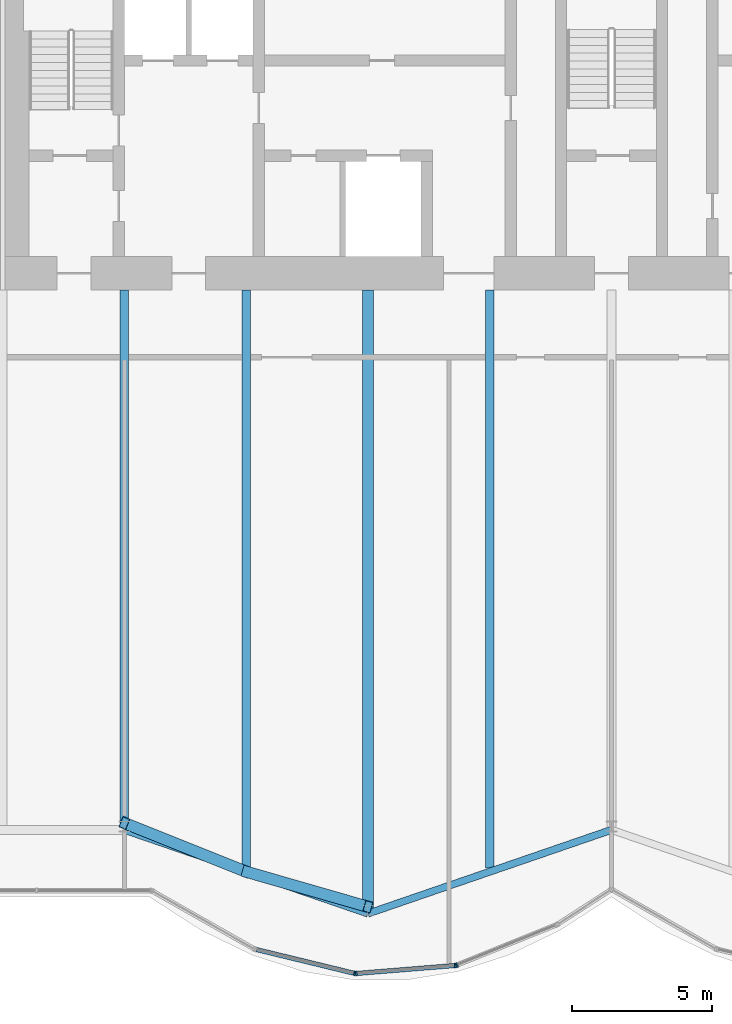
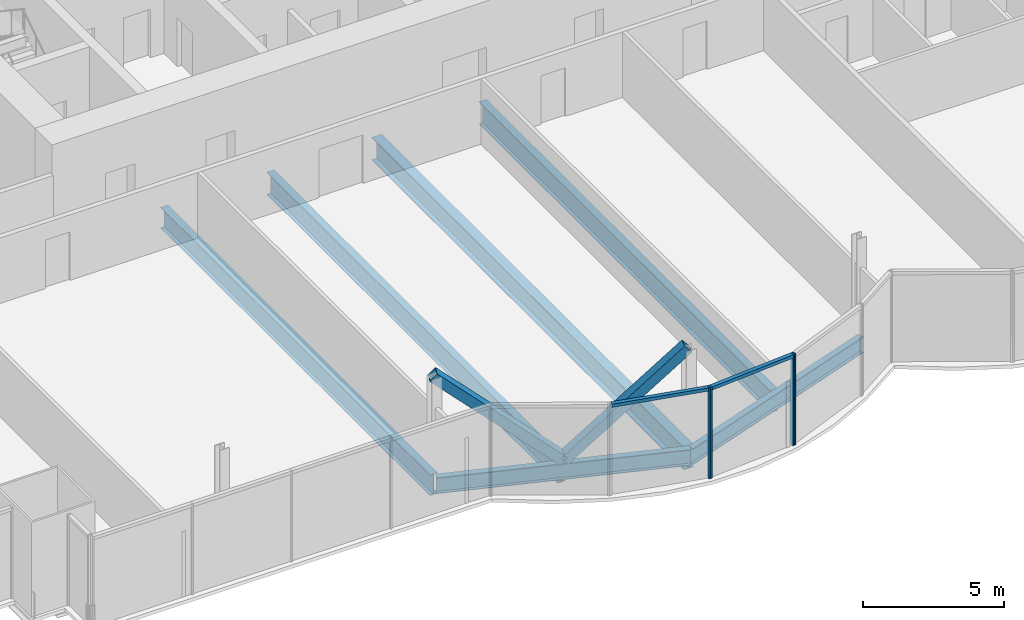
# One storey, part 6 of 21: 8 members, 6 beams, 1 element without a shape of its own.
"""IFC4 building model written with IfcOpenShell, lengths in metres."""

from ifc_helpers import new_model, si_unit, direction, frame, origin, origin_2d, place, context, subcontext, project, spatial, rectangle, hollow_rectangle, i_section, extrude, material, material_profile, profile_set, type_object, element, aggregate, save


model = new_model("IFC4")

# Units and contexts
model_context = context("Model", 3, precision=1e-05, world=origin(), true_north=direction((0.0, 1.0)))
body_context = subcontext(model_context, "Body", "Model", "MODEL_VIEW")
ifc_project = project(units=[si_unit("LENGTHUNIT", "METRE"), si_unit("AREAUNIT", "SQUARE_METRE"), si_unit("VOLUMEUNIT", "CUBIC_METRE"), si_unit("PLANEANGLEUNIT", "RADIAN"), si_unit("MASSUNIT", "GRAM", prefix="KILO")], contexts=[model_context])

# Site, building, storey
site_placement = place(None, origin())
site = spatial("IfcSite", under=ifc_project, at=site_placement, CompositionType="ELEMENT")
building_placement = place(site_placement, origin())
building = spatial("IfcBuilding", under=site, at=building_placement, Name="Bicima Exchange Tower", CompositionType="ELEMENT")
storey_placement = place(building_placement, frame((0.0, 0.0, 165.0)))
storey = spatial("IfcBuildingStorey", under=building, at=storey_placement, Name="L36", CompositionType="ELEMENT", Elevation=165.0)

# Beams
ifc_material_1 = material(Name="Steel ASTM A992 Gr 50", Category="steel")
ifc_material_profile_1 = material_profile(ifc_material_1, i_section(OverallWidth=0.3046875, OverallDepth=0.904296875, WebThickness=0.01513671875, FlangeThickness=0.02001953125, at=origin_2d()))
ifc_profile_set_1 = profile_set([ifc_material_profile_1], Name="Steel ASTM A992 Gr 50")
beam_type_1 = type_object("IfcBeamType", Name="Floor beam W36x135", PredefinedType="JOIST", material=ifc_profile_set_1)
beam_1_placement = place(storey_placement, frame((-17.39990234375, -13.0, -0.60205078125), z_axis=(0.0, -1.0, 0.0), x_axis=(1.0, 0.0, 0.0)))
element("IfcBeam", 1, at=beam_1_placement, inside=storey, type_object=beam_type_1, Name="Floor beam", PredefinedType="JOIST", context=body_context, shape_type="SweptSolid", body=[
    extrude(i_section(OverallWidth=0.3046875, OverallDepth=0.904296875, WebThickness=0.01513671875, FlangeThickness=0.02001953125, at=origin_2d()), origin(), (0.0, 0.0, 1.0), 19.117431640625),
])
ifc_material_profile_2 = material_profile(ifc_material_1, i_section(OverallWidth=0.2998046875, OverallDepth=0.97021484375, WebThickness=0.01611328125, FlangeThickness=0.02099609375, at=origin_2d()))
ifc_profile_set_2 = profile_set([ifc_material_profile_2], Name="Steel ASTM A992 Gr 50")
beam_type_2 = type_object("IfcBeamType", Name="Floor beam W40x149", PredefinedType="JOIST", material=ifc_profile_set_2)
for number, where, z_axis, x_axis, name in (
    (2, (-13.050048828125, -13.0, -0.635009765625), (0.0, -1.0, 0.0), (1.0, 0.0, 0.0), "Floor beam"),
    (3, (-4.35009765625, -13.0, -0.635009765625), (0.0, -1.0, 0.0), (1.0, 0.0, 0.0), "Floor beam"),
):
    element("IfcBeam", number, at=place(storey_placement, frame(where, z_axis=z_axis, x_axis=x_axis)), inside=storey, type_object=beam_type_2, Name=name, PredefinedType="JOIST", context=body_context, shape_type="SweptSolid", body=[
        extrude(i_section(OverallWidth=0.2998046875, OverallDepth=0.97021484375, WebThickness=0.01611328125, FlangeThickness=0.02099609375, at=origin_2d()), origin(), (0.0, 0.0, 1.0), 20.639892578125),
    ])
ifc_material_profile_3 = material_profile(ifc_material_1, i_section(OverallWidth=0.4013671875, OverallDepth=0.990478515625, WebThickness=0.0166015625, FlangeThickness=0.031005859375, at=origin_2d()))
ifc_profile_set_3 = profile_set([ifc_material_profile_3], Name="Steel ASTM A992 Gr 50")
beam_type_3 = type_object("IfcBeamType", Name="Floor beam W40x215", PredefinedType="JOIST", material=ifc_profile_set_3)
beam_2_placement = place(storey_placement, frame((-8.699951171875, -13.0, -0.645263671875), z_axis=(0.0, -1.0, 0.0), x_axis=(1.0, 0.0, 0.0)))
element("IfcBeam", 4, at=beam_2_placement, inside=storey, type_object=beam_type_3, Name="Floor beam", PredefinedType="JOIST", context=body_context, shape_type="SweptSolid", body=[
    extrude(i_section(OverallWidth=0.4013671875, OverallDepth=0.990478515625, WebThickness=0.0166015625, FlangeThickness=0.031005859375, at=origin_2d()), origin(), (0.0, 0.0, 1.0), 22.135498046875),
])
ifc_material_profile_4 = material_profile(ifc_material_1, i_section(OverallWidth=0.256591796875, OverallDepth=0.693359375, WebThickness=0.014404296875, FlangeThickness=0.023681640625, at=origin_2d()))
ifc_profile_set_4 = profile_set([ifc_material_profile_4], Name="Steel ASTM A992 Gr 50")
beam_type_4 = type_object("IfcBeamType", Name="Front girder W27x114", PredefinedType="BEAM", material=ifc_profile_set_4)
for number, where, z_axis, x_axis, name in (
    (5, (-17.39990234375, -32.280029296875, -0.49658203125), (0.945674616091, -0.32511462668, 0.0), (0.32511462668, 0.945674616091, 0.0), "Front girder"),
    (6, (-8.699951171875, -35.27099609375, -0.49658203125), (0.945674616091, 0.32511462668, 0.0), (-0.32511462668, 0.945674616091, 0.0), "Front girder"),
):
    element("IfcBeam", number, at=place(storey_placement, frame(where, z_axis=z_axis, x_axis=x_axis)), inside=storey, type_object=beam_type_4, Name=name, PredefinedType="BEAM", context=body_context, shape_type="SweptSolid", body=[
        extrude(i_section(OverallWidth=0.256591796875, OverallDepth=0.693359375, WebThickness=0.014404296875, FlangeThickness=0.023681640625, at=origin_2d()), origin(), (0.0, 0.0, 1.0), 9.19970703125),
    ])

# Curtain wall, members
ifc_material_2 = material(Name="Anodised bronze aluminium", Category="aluminium")
curtain_wall_type = type_object("IfcCurtainWallType", Name="Front glass wall", PredefinedType="NOTDEFINED", material=ifc_material_2)
curtain_wall_placement = place(storey_placement, origin())
curtain_wall = element("IfcCurtainWall", 7, at=curtain_wall_placement, inside=storey, type_object=curtain_wall_type, Name="Front glass wall L36 run 6", PredefinedType="NOTDEFINED")
ifc_material_profile_5 = material_profile(ifc_material_2, rectangle(XDim=0.159912109375, YDim=0.06005859375, at=origin_2d()))
ifc_profile_set_5 = profile_set([ifc_material_profile_5], Name="Anodised bronze aluminium")
member_type_1 = type_object("IfcMemberType", Name="Front glass wall mullion 60 x 160", PredefinedType="MULLION", material=ifc_profile_set_5)
member_1_placement = place(storey_placement, frame((-9.177490234375, -37.406005859375, 0.0), z_axis=(0.0, 0.0, 1.0), x_axis=(0.235681529503, 0.971830343553, 0.0)))
member_1 = element("IfcMember", 8, at=member_1_placement, type_object=member_type_1, Name="Front glass wall mullion 2", PredefinedType="MULLION", context=body_context, shape_type="SweptSolid", body=[
    extrude(rectangle(XDim=0.159912109375, YDim=0.06005859375, at=origin_2d()), origin(), (0.0, 0.0, 1.0), 3.949951171875),
])
member_2_placement = place(storey_placement, frame((-9.118408203125, -37.41064453125, 0.0), z_axis=(0.0, 0.0, 1.0), x_axis=(-0.080588612633, 0.99674744821, 0.0)))
member_2 = element("IfcMember", 9, at=member_2_placement, type_object=member_type_1, Name="Front glass wall mullion 1", PredefinedType="MULLION", context=body_context, shape_type="SweptSolid", body=[
    extrude(rectangle(XDim=0.159912109375, YDim=0.06005859375, at=origin_2d()), origin(), (0.0, 0.0, 1.0), 3.949951171875),
])
member_3_placement = place(storey_placement, frame((-5.583984375, -37.124755859375, 0.0), z_axis=(0.0, 0.0, 1.0), x_axis=(-0.080588612633, 0.99674744821, 0.0)))
member_3 = element("IfcMember", 10, at=member_3_placement, type_object=member_type_1, Name="Front glass wall mullion 2", PredefinedType="MULLION", context=body_context, shape_type="SweptSolid", body=[
    extrude(rectangle(XDim=0.159912109375, YDim=0.06005859375, at=origin_2d()), origin(), (0.0, 0.0, 1.0), 3.949951171875),
])
member_4_placement = place(storey_placement, frame((-5.526123046875, -37.111083984375, 0.0), z_axis=(0.0, 0.0, 1.0), x_axis=(-0.374705304, 0.92714396679, 0.0)))
member_4 = element("IfcMember", 11, at=member_4_placement, type_object=member_type_1, Name="Front glass wall mullion 1", PredefinedType="MULLION", context=body_context, shape_type="SweptSolid", body=[
    extrude(rectangle(XDim=0.159912109375, YDim=0.06005859375, at=origin_2d()), origin(), (0.0, 0.0, 1.0), 3.949951171875),
])
ifc_material_profile_6 = material_profile(ifc_material_2, rectangle(XDim=0.159912109375, YDim=0.139892578125, at=origin_2d()))
ifc_profile_set_6 = profile_set([ifc_material_profile_6], Name="Anodised bronze aluminium")
member_type_2 = type_object("IfcMemberType", Name="Front glass wall transom 140 x 160", PredefinedType="USERDEFINED", material=ifc_profile_set_6)
member_5_placement = place(storey_placement, frame((-12.68896484375, -36.55419921875, 3.8798828125), z_axis=(0.971817951661, -0.235732621477, 0.0), x_axis=(0.235732621477, 0.971817951661, 0.0)))
member_5 = element("IfcMember", 12, at=member_5_placement, type_object=member_type_2, Name="Front glass wall transom 1.1", ObjectType="TRANSOM", PredefinedType="USERDEFINED", context=body_context, shape_type="SweptSolid", body=[
    extrude(rectangle(XDim=0.159912109375, YDim=0.139892578125, at=origin_2d()), origin(), (0.0, 0.0, 1.0), 3.58349609375),
])
member_6_placement = place(storey_placement, frame((-9.08837890625, -37.408203125, 3.8798828125), z_axis=(0.9967456465, 0.080610893699, 0.0), x_axis=(-0.080610893699, 0.9967456465, 0.0)))
member_6 = element("IfcMember", 13, at=member_6_placement, type_object=member_type_2, Name="Front glass wall transom 1.1", ObjectType="TRANSOM", PredefinedType="USERDEFINED", context=body_context, shape_type="SweptSolid", body=[
    extrude(rectangle(XDim=0.159912109375, YDim=0.139892578125, at=origin_2d()), origin(), (0.0, 0.0, 1.0), 3.48583984375),
])
aggregate(curtain_wall, [member_1, member_5, member_2, member_3, member_6, member_4])

# Members
ifc_material_3 = material(Name="Steel ASTM A572 Gr 50", Category="steel")
ifc_material_profile_7 = material_profile(ifc_material_3, hollow_rectangle(XDim=0.406494140625, YDim=0.406494140625, WallThickness=0.017822265625, at=origin_2d()))
ifc_profile_set_7 = profile_set([ifc_material_profile_7], Name="Steel ASTM A572 Gr 50")
member_type_3 = type_object("IfcMemberType", Name="Mega brace HSS16x16x3/4", PredefinedType="BRACE", material=ifc_profile_set_7)
member_7_placement = place(storey_placement, frame((-13.050048828125, -33.775390625, 0.0), z_axis=(0.712261059137, -0.204947943102, 0.671327434457), x_axis=(0.276522876258, 0.961007335511, 0.0)))
element("IfcMember", 14, at=member_7_placement, inside=storey, type_object=member_type_3, Name="Mega brace front", PredefinedType="BRACE", context=body_context, shape_type="SweptSolid", body=[
    extrude(hollow_rectangle(XDim=0.406494140625, YDim=0.406494140625, WallThickness=0.017822265625, at=origin_2d()), origin(), (0.0, 0.0, 1.0), 6.107421875),
])
member_8_placement = place(storey_placement, frame((-13.050048828125, -33.775390625, 0.0), z_axis=(-0.69870612412, 0.279411861388, 0.658588463179), x_axis=(-0.371309808925, -0.928509033772, 0.0)))
element("IfcMember", 15, at=member_8_placement, inside=storey, type_object=member_type_3, Name="Mega brace front", PredefinedType="BRACE", context=body_context, shape_type="SweptSolid", body=[
    extrude(hollow_rectangle(XDim=0.406494140625, YDim=0.406494140625, WallThickness=0.017822265625, at=origin_2d()), origin(), (0.0, 0.0, 1.0), 6.2255859375),
])

save(model, "model.ifc")
